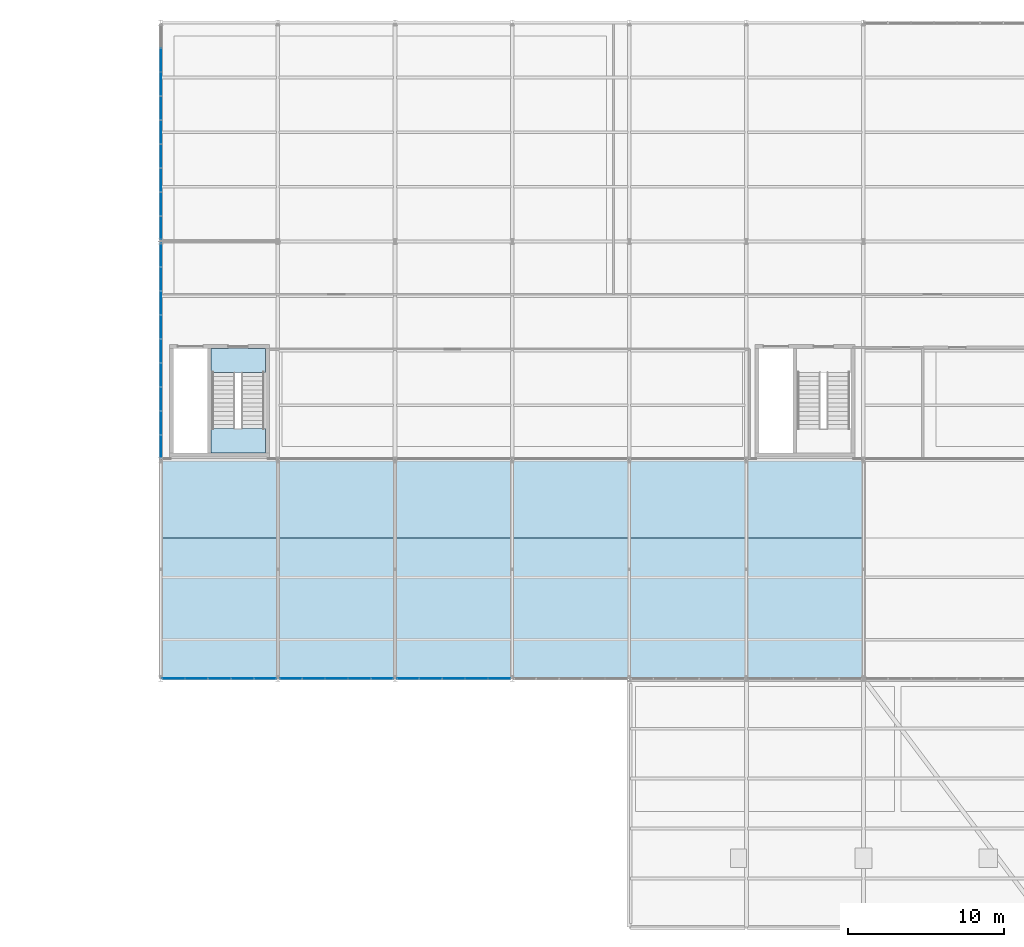
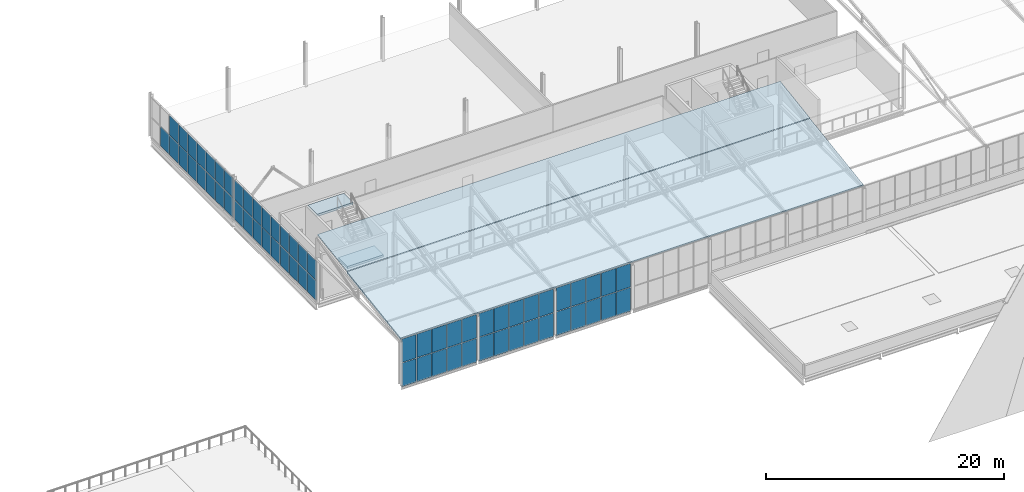
# One storey, part 87 of 104: 64 plates, 3 slabs, 6 elements without a shape of their own.
"""IFC4 building model written with IfcOpenShell, lengths in metres."""

from ifc_helpers import new_model, si_unit, direction, frame, origin, origin_2d, place, context, subcontext, project, spatial, polyline, rectangle, outline, extrude, material, layer, layer_set, type_object, element, aggregate, save


model = new_model("IFC4")

# Units and contexts
model_context = context("Model", 3, precision=1e-05, world=origin(), true_north=direction((0.0, 1.0)))
body_context = subcontext(model_context, "Body", "Model", "MODEL_VIEW")
ifc_project = project(units=[si_unit("LENGTHUNIT", "METRE"), si_unit("AREAUNIT", "SQUARE_METRE"), si_unit("VOLUMEUNIT", "CUBIC_METRE"), si_unit("PLANEANGLEUNIT", "RADIAN"), si_unit("MASSUNIT", "GRAM", prefix="KILO")], contexts=[model_context])

# Site, building, storey
site_placement = place(None, origin())
site = spatial("IfcSite", under=ifc_project, at=site_placement, CompositionType="ELEMENT")
building_placement = place(site_placement, origin())
building = spatial("IfcBuilding", under=site, at=building_placement, Name="Solvenia Promenade Tram Depot", CompositionType="ELEMENT")
storey_placement = place(building_placement, frame((0.0, 0.0, 9.0)))
storey = spatial("IfcBuildingStorey", under=building, at=storey_placement, Name="L02", CompositionType="ELEMENT", Elevation=9.0)

# Curtain wall, plates
ifc_material_1 = material(Name="Anodized aluminium AW-6063 T6", Category="aluminium")
ifc_layer_1 = layer(ifc_material_1, 0.080078125, Name="Anodized aluminium AW-6063 T6", Category="aluminium")
ifc_layer_set_1 = layer_set([ifc_layer_1], Name="Anodized aluminium AW-6063 T6")
curtain_wall_type_1 = type_object("IfcCurtainWallType", Name="CW-Clerest-1500", PredefinedType="NOTDEFINED", material=ifc_layer_set_1)
curtain_wall_1_placement = place(storey_placement, origin())
curtain_wall_1 = element("IfcCurtainWall", 1, at=curtain_wall_1_placement, inside=storey, type_object=curtain_wall_type_1, Name="Curtain Wall CW-V2S-L2-01", PredefinedType="NOTDEFINED")
ifc_material_2 = material(Name="Double low-e argon insulated glass", Category="glass")
ifc_layer_2 = layer(ifc_material_2, 0.031982421875, Name="Double low-e argon insulated glass", Category="glass")
ifc_layer_set_2 = layer_set([ifc_layer_2], Name="Double low-e argon insulated glass")
plate_type_1 = type_object("IfcPlateType", Name="CWP-Panel-2", PredefinedType="CURTAIN_PANEL", material=ifc_layer_set_2)
plate_1_placement = place(storey_placement, frame((105.82763671875, 24.0, -0.244873046875), z_axis=(0.0, 0.0, 1.0), x_axis=(1.0, 0.0, 0.0)))
plate_1 = element("IfcPlate", 2, at=plate_1_placement, type_object=plate_type_1, Name="CW-4 panel 1.1", PredefinedType="CURTAIN_PANEL", context=body_context, shape_type="SweptSolid", body=[
    extrude(rectangle(XDim=1.385498046875, YDim=0.031982421875, at=origin_2d()), origin(), (0.0, 0.0, 1.0), 2.41748046875),
])
plate_2_placement = place(storey_placement, frame((105.82763671875, 24.0, 2.2275390625), z_axis=(0.0, 0.0, 1.0), x_axis=(1.0, 0.0, 0.0)))
plate_2 = element("IfcPlate", 3, at=plate_2_placement, type_object=plate_type_1, Name="CW-4 panel 1.2", PredefinedType="CURTAIN_PANEL", context=body_context, shape_type="SweptSolid", body=[
    extrude(rectangle(XDim=1.385498046875, YDim=0.031982421875, at=origin_2d()), origin(), (0.0, 0.0, 1.0), 2.41748046875),
])
plate_3_placement = place(storey_placement, frame((107.281982421875, 24.0, -0.244873046875), z_axis=(0.0, 0.0, 1.0), x_axis=(1.0, 0.0, 0.0)))
plate_3 = element("IfcPlate", 4, at=plate_3_placement, type_object=plate_type_1, Name="CW-4 panel 2.1", PredefinedType="CURTAIN_PANEL", context=body_context, shape_type="SweptSolid", body=[
    extrude(rectangle(XDim=1.4130859375, YDim=0.031982421875, at=origin_2d()), origin(), (0.0, 0.0, 1.0), 2.41748046875),
])
plate_4_placement = place(storey_placement, frame((107.281982421875, 24.0, 2.2275390625), z_axis=(0.0, 0.0, 1.0), x_axis=(1.0, 0.0, 0.0)))
plate_4 = element("IfcPlate", 5, at=plate_4_placement, type_object=plate_type_1, Name="CW-4 panel 2.2", PredefinedType="CURTAIN_PANEL", context=body_context, shape_type="SweptSolid", body=[
    extrude(rectangle(XDim=1.4130859375, YDim=0.031982421875, at=origin_2d()), origin(), (0.0, 0.0, 1.0), 2.41748046875),
])
plate_5_placement = place(storey_placement, frame((108.75, 24.0, -0.244873046875), z_axis=(0.0, 0.0, 1.0), x_axis=(1.0, 0.0, 0.0)))
plate_5 = element("IfcPlate", 6, at=plate_5_placement, type_object=plate_type_1, Name="CW-4 panel 3.1", PredefinedType="CURTAIN_PANEL", context=body_context, shape_type="SweptSolid", body=[
    extrude(rectangle(XDim=1.4130859375, YDim=0.031982421875, at=origin_2d()), origin(), (0.0, 0.0, 1.0), 2.41748046875),
])
plate_6_placement = place(storey_placement, frame((108.75, 24.0, 2.2275390625), z_axis=(0.0, 0.0, 1.0), x_axis=(1.0, 0.0, 0.0)))
plate_6 = element("IfcPlate", 7, at=plate_6_placement, type_object=plate_type_1, Name="CW-4 panel 3.2", PredefinedType="CURTAIN_PANEL", context=body_context, shape_type="SweptSolid", body=[
    extrude(rectangle(XDim=1.4130859375, YDim=0.031982421875, at=origin_2d()), origin(), (0.0, 0.0, 1.0), 2.41748046875),
])
plate_7_placement = place(storey_placement, frame((110.218017578125, 24.0, -0.244873046875), z_axis=(0.0, 0.0, 1.0), x_axis=(1.0, 0.0, 0.0)))
plate_7 = element("IfcPlate", 8, at=plate_7_placement, type_object=plate_type_1, Name="CW-4 panel 4.1", PredefinedType="CURTAIN_PANEL", context=body_context, shape_type="SweptSolid", body=[
    extrude(rectangle(XDim=1.4130859375, YDim=0.031982421875, at=origin_2d()), origin(), (0.0, 0.0, 1.0), 2.41748046875),
])
plate_8_placement = place(storey_placement, frame((110.218017578125, 24.0, 2.2275390625), z_axis=(0.0, 0.0, 1.0), x_axis=(1.0, 0.0, 0.0)))
plate_8 = element("IfcPlate", 9, at=plate_8_placement, type_object=plate_type_1, Name="CW-4 panel 4.2", PredefinedType="CURTAIN_PANEL", context=body_context, shape_type="SweptSolid", body=[
    extrude(rectangle(XDim=1.4130859375, YDim=0.031982421875, at=origin_2d()), origin(), (0.0, 0.0, 1.0), 2.41748046875),
])
plate_9_placement = place(storey_placement, frame((111.67236328125, 24.0, -0.244873046875), z_axis=(0.0, 0.0, 1.0), x_axis=(1.0, 0.0, 0.0)))
plate_9 = element("IfcPlate", 10, at=plate_9_placement, type_object=plate_type_1, Name="CW-4 panel 5.1", PredefinedType="CURTAIN_PANEL", context=body_context, shape_type="SweptSolid", body=[
    extrude(rectangle(XDim=1.385498046875, YDim=0.031982421875, at=origin_2d()), origin(), (0.0, 0.0, 1.0), 2.41748046875),
])
plate_10_placement = place(storey_placement, frame((111.67236328125, 24.0, 2.2275390625), z_axis=(0.0, 0.0, 1.0), x_axis=(1.0, 0.0, 0.0)))
plate_10 = element("IfcPlate", 11, at=plate_10_placement, type_object=plate_type_1, Name="CW-4 panel 5.2", PredefinedType="CURTAIN_PANEL", context=body_context, shape_type="SweptSolid", body=[
    extrude(rectangle(XDim=1.385498046875, YDim=0.031982421875, at=origin_2d()), origin(), (0.0, 0.0, 1.0), 2.41748046875),
])
aggregate(curtain_wall_1, [plate_1, plate_2, plate_3, plate_4, plate_5, plate_6, plate_7, plate_8, plate_9, plate_10])

curtain_wall_2_placement = place(storey_placement, origin())
curtain_wall_2 = element("IfcCurtainWall", 12, at=curtain_wall_2_placement, inside=storey, type_object=curtain_wall_type_1, Name="Curtain Wall CW-V2S-L2-02", PredefinedType="NOTDEFINED")
plate_11_placement = place(storey_placement, frame((113.32763671875, 24.0, -0.244873046875), z_axis=(0.0, 0.0, 1.0), x_axis=(1.0, 0.0, 0.0)))
plate_11 = element("IfcPlate", 13, at=plate_11_placement, type_object=plate_type_1, Name="CW-4 panel 1.1", PredefinedType="CURTAIN_PANEL", context=body_context, shape_type="SweptSolid", body=[
    extrude(rectangle(XDim=1.385498046875, YDim=0.031982421875, at=origin_2d()), origin(), (0.0, 0.0, 1.0), 2.41748046875),
])
plate_12_placement = place(storey_placement, frame((113.32763671875, 24.0, 2.2275390625), z_axis=(0.0, 0.0, 1.0), x_axis=(1.0, 0.0, 0.0)))
plate_12 = element("IfcPlate", 14, at=plate_12_placement, type_object=plate_type_1, Name="CW-4 panel 1.2", PredefinedType="CURTAIN_PANEL", context=body_context, shape_type="SweptSolid", body=[
    extrude(rectangle(XDim=1.385498046875, YDim=0.031982421875, at=origin_2d()), origin(), (0.0, 0.0, 1.0), 2.41748046875),
])
plate_13_placement = place(storey_placement, frame((114.781982421875, 24.0, -0.244873046875), z_axis=(0.0, 0.0, 1.0), x_axis=(1.0, 0.0, 0.0)))
plate_13 = element("IfcPlate", 15, at=plate_13_placement, type_object=plate_type_1, Name="CW-4 panel 2.1", PredefinedType="CURTAIN_PANEL", context=body_context, shape_type="SweptSolid", body=[
    extrude(rectangle(XDim=1.4130859375, YDim=0.031982421875, at=origin_2d()), origin(), (0.0, 0.0, 1.0), 2.41748046875),
])
plate_14_placement = place(storey_placement, frame((114.781982421875, 24.0, 2.2275390625), z_axis=(0.0, 0.0, 1.0), x_axis=(1.0, 0.0, 0.0)))
plate_14 = element("IfcPlate", 16, at=plate_14_placement, type_object=plate_type_1, Name="CW-4 panel 2.2", PredefinedType="CURTAIN_PANEL", context=body_context, shape_type="SweptSolid", body=[
    extrude(rectangle(XDim=1.4130859375, YDim=0.031982421875, at=origin_2d()), origin(), (0.0, 0.0, 1.0), 2.41748046875),
])
plate_15_placement = place(storey_placement, frame((116.25, 24.0, -0.244873046875), z_axis=(0.0, 0.0, 1.0), x_axis=(1.0, 0.0, 0.0)))
plate_15 = element("IfcPlate", 17, at=plate_15_placement, type_object=plate_type_1, Name="CW-4 panel 3.1", PredefinedType="CURTAIN_PANEL", context=body_context, shape_type="SweptSolid", body=[
    extrude(rectangle(XDim=1.4130859375, YDim=0.031982421875, at=origin_2d()), origin(), (0.0, 0.0, 1.0), 2.41748046875),
])
plate_16_placement = place(storey_placement, frame((116.25, 24.0, 2.2275390625), z_axis=(0.0, 0.0, 1.0), x_axis=(1.0, 0.0, 0.0)))
plate_16 = element("IfcPlate", 18, at=plate_16_placement, type_object=plate_type_1, Name="CW-4 panel 3.2", PredefinedType="CURTAIN_PANEL", context=body_context, shape_type="SweptSolid", body=[
    extrude(rectangle(XDim=1.4130859375, YDim=0.031982421875, at=origin_2d()), origin(), (0.0, 0.0, 1.0), 2.41748046875),
])
plate_17_placement = place(storey_placement, frame((117.718017578125, 24.0, -0.244873046875), z_axis=(0.0, 0.0, 1.0), x_axis=(1.0, 0.0, 0.0)))
plate_17 = element("IfcPlate", 19, at=plate_17_placement, type_object=plate_type_1, Name="CW-4 panel 4.1", PredefinedType="CURTAIN_PANEL", context=body_context, shape_type="SweptSolid", body=[
    extrude(rectangle(XDim=1.4130859375, YDim=0.031982421875, at=origin_2d()), origin(), (0.0, 0.0, 1.0), 2.41748046875),
])
plate_18_placement = place(storey_placement, frame((117.718017578125, 24.0, 2.2275390625), z_axis=(0.0, 0.0, 1.0), x_axis=(1.0, 0.0, 0.0)))
plate_18 = element("IfcPlate", 20, at=plate_18_placement, type_object=plate_type_1, Name="CW-4 panel 4.2", PredefinedType="CURTAIN_PANEL", context=body_context, shape_type="SweptSolid", body=[
    extrude(rectangle(XDim=1.4130859375, YDim=0.031982421875, at=origin_2d()), origin(), (0.0, 0.0, 1.0), 2.41748046875),
])
plate_19_placement = place(storey_placement, frame((119.17236328125, 24.0, -0.244873046875), z_axis=(0.0, 0.0, 1.0), x_axis=(1.0, 0.0, 0.0)))
plate_19 = element("IfcPlate", 21, at=plate_19_placement, type_object=plate_type_1, Name="CW-4 panel 5.1", PredefinedType="CURTAIN_PANEL", context=body_context, shape_type="SweptSolid", body=[
    extrude(rectangle(XDim=1.385498046875, YDim=0.031982421875, at=origin_2d()), origin(), (0.0, 0.0, 1.0), 2.41748046875),
])
plate_20_placement = place(storey_placement, frame((119.17236328125, 24.0, 2.2275390625), z_axis=(0.0, 0.0, 1.0), x_axis=(1.0, 0.0, 0.0)))
plate_20 = element("IfcPlate", 22, at=plate_20_placement, type_object=plate_type_1, Name="CW-4 panel 5.2", PredefinedType="CURTAIN_PANEL", context=body_context, shape_type="SweptSolid", body=[
    extrude(rectangle(XDim=1.385498046875, YDim=0.031982421875, at=origin_2d()), origin(), (0.0, 0.0, 1.0), 2.41748046875),
])
aggregate(curtain_wall_2, [plate_11, plate_12, plate_13, plate_14, plate_15, plate_16, plate_17, plate_18, plate_19, plate_20])

curtain_wall_3_placement = place(storey_placement, origin())
curtain_wall_3 = element("IfcCurtainWall", 23, at=curtain_wall_3_placement, inside=storey, type_object=curtain_wall_type_1, Name="Curtain Wall CW-V2S-L2-03", PredefinedType="NOTDEFINED")
plate_21_placement = place(storey_placement, frame((120.82763671875, 24.0, -0.244873046875), z_axis=(0.0, 0.0, 1.0), x_axis=(1.0, 0.0, 0.0)))
plate_21 = element("IfcPlate", 24, at=plate_21_placement, type_object=plate_type_1, Name="CW-4 panel 1.1", PredefinedType="CURTAIN_PANEL", context=body_context, shape_type="SweptSolid", body=[
    extrude(rectangle(XDim=1.385498046875, YDim=0.031982421875, at=origin_2d()), origin(), (0.0, 0.0, 1.0), 2.41748046875),
])
plate_22_placement = place(storey_placement, frame((120.82763671875, 24.0, 2.2275390625), z_axis=(0.0, 0.0, 1.0), x_axis=(1.0, 0.0, 0.0)))
plate_22 = element("IfcPlate", 25, at=plate_22_placement, type_object=plate_type_1, Name="CW-4 panel 1.2", PredefinedType="CURTAIN_PANEL", context=body_context, shape_type="SweptSolid", body=[
    extrude(rectangle(XDim=1.385498046875, YDim=0.031982421875, at=origin_2d()), origin(), (0.0, 0.0, 1.0), 2.41748046875),
])
plate_23_placement = place(storey_placement, frame((122.281982421875, 24.0, -0.244873046875), z_axis=(0.0, 0.0, 1.0), x_axis=(1.0, 0.0, 0.0)))
plate_23 = element("IfcPlate", 26, at=plate_23_placement, type_object=plate_type_1, Name="CW-4 panel 2.1", PredefinedType="CURTAIN_PANEL", context=body_context, shape_type="SweptSolid", body=[
    extrude(rectangle(XDim=1.4130859375, YDim=0.031982421875, at=origin_2d()), origin(), (0.0, 0.0, 1.0), 2.41748046875),
])
plate_24_placement = place(storey_placement, frame((122.281982421875, 24.0, 2.2275390625), z_axis=(0.0, 0.0, 1.0), x_axis=(1.0, 0.0, 0.0)))
plate_24 = element("IfcPlate", 27, at=plate_24_placement, type_object=plate_type_1, Name="CW-4 panel 2.2", PredefinedType="CURTAIN_PANEL", context=body_context, shape_type="SweptSolid", body=[
    extrude(rectangle(XDim=1.4130859375, YDim=0.031982421875, at=origin_2d()), origin(), (0.0, 0.0, 1.0), 2.41748046875),
])
plate_25_placement = place(storey_placement, frame((123.75, 24.0, -0.244873046875), z_axis=(0.0, 0.0, 1.0), x_axis=(1.0, 0.0, 0.0)))
plate_25 = element("IfcPlate", 28, at=plate_25_placement, type_object=plate_type_1, Name="CW-4 panel 3.1", PredefinedType="CURTAIN_PANEL", context=body_context, shape_type="SweptSolid", body=[
    extrude(rectangle(XDim=1.4130859375, YDim=0.031982421875, at=origin_2d()), origin(), (0.0, 0.0, 1.0), 2.41748046875),
])
plate_26_placement = place(storey_placement, frame((123.75, 24.0, 2.2275390625), z_axis=(0.0, 0.0, 1.0), x_axis=(1.0, 0.0, 0.0)))
plate_26 = element("IfcPlate", 29, at=plate_26_placement, type_object=plate_type_1, Name="CW-4 panel 3.2", PredefinedType="CURTAIN_PANEL", context=body_context, shape_type="SweptSolid", body=[
    extrude(rectangle(XDim=1.4130859375, YDim=0.031982421875, at=origin_2d()), origin(), (0.0, 0.0, 1.0), 2.41748046875),
])
plate_27_placement = place(storey_placement, frame((125.218017578125, 24.0, -0.244873046875), z_axis=(0.0, 0.0, 1.0), x_axis=(1.0, 0.0, 0.0)))
plate_27 = element("IfcPlate", 30, at=plate_27_placement, type_object=plate_type_1, Name="CW-4 panel 4.1", PredefinedType="CURTAIN_PANEL", context=body_context, shape_type="SweptSolid", body=[
    extrude(rectangle(XDim=1.4130859375, YDim=0.031982421875, at=origin_2d()), origin(), (0.0, 0.0, 1.0), 2.41748046875),
])
plate_28_placement = place(storey_placement, frame((125.218017578125, 24.0, 2.2275390625), z_axis=(0.0, 0.0, 1.0), x_axis=(1.0, 0.0, 0.0)))
plate_28 = element("IfcPlate", 31, at=plate_28_placement, type_object=plate_type_1, Name="CW-4 panel 4.2", PredefinedType="CURTAIN_PANEL", context=body_context, shape_type="SweptSolid", body=[
    extrude(rectangle(XDim=1.4130859375, YDim=0.031982421875, at=origin_2d()), origin(), (0.0, 0.0, 1.0), 2.41748046875),
])
plate_29_placement = place(storey_placement, frame((126.67236328125, 24.0, -0.244873046875), z_axis=(0.0, 0.0, 1.0), x_axis=(1.0, 0.0, 0.0)))
plate_29 = element("IfcPlate", 32, at=plate_29_placement, type_object=plate_type_1, Name="CW-4 panel 5.1", PredefinedType="CURTAIN_PANEL", context=body_context, shape_type="SweptSolid", body=[
    extrude(rectangle(XDim=1.385498046875, YDim=0.031982421875, at=origin_2d()), origin(), (0.0, 0.0, 1.0), 2.41748046875),
])
plate_30_placement = place(storey_placement, frame((126.67236328125, 24.0, 2.2275390625), z_axis=(0.0, 0.0, 1.0), x_axis=(1.0, 0.0, 0.0)))
plate_30 = element("IfcPlate", 33, at=plate_30_placement, type_object=plate_type_1, Name="CW-4 panel 5.2", PredefinedType="CURTAIN_PANEL", context=body_context, shape_type="SweptSolid", body=[
    extrude(rectangle(XDim=1.385498046875, YDim=0.031982421875, at=origin_2d()), origin(), (0.0, 0.0, 1.0), 2.41748046875),
])
aggregate(curtain_wall_3, [plate_21, plate_22, plate_23, plate_24, plate_25, plate_26, plate_27, plate_28, plate_29, plate_30])

ifc_layer_3 = layer(ifc_material_1, 0.14990234375, Name="Anodized aluminium AW-6063 T6", Category="aluminium")
ifc_layer_set_3 = layer_set([ifc_layer_3], Name="Anodized aluminium AW-6063 T6")
curtain_wall_type_2 = type_object("IfcCurtainWallType", Name="CW-Court-1500", PredefinedType="NOTDEFINED", material=ifc_layer_set_3)
curtain_wall_4_placement = place(storey_placement, origin())
curtain_wall_4 = element("IfcCurtainWall", 34, at=curtain_wall_4_placement, inside=storey, type_object=curtain_wall_type_2, Name="Curtain Wall CW-V2W-L2-1", PredefinedType="NOTDEFINED")
plate_31_placement = place(storey_placement, frame((105.0, 38.861328125, 0.06494140625), z_axis=(0.0, 0.0, 1.0), x_axis=(0.0, 1.0, 0.0)))
plate_31 = element("IfcPlate", 35, at=plate_31_placement, type_object=plate_type_1, Name="CW-5 panel 1.1", PredefinedType="CURTAIN_PANEL", context=body_context, shape_type="SweptSolid", body=[
    extrude(rectangle(XDim=1.462890625, YDim=0.031982421875, at=origin_2d()), origin(), (0.0, 0.0, 1.0), 2.00244140625),
])
plate_32_placement = place(storey_placement, frame((105.0, 38.861328125, 2.132568359375), z_axis=(0.0, 0.0, 1.0), x_axis=(0.0, 1.0, 0.0)))
plate_32 = element("IfcPlate", 36, at=plate_32_placement, type_object=plate_type_1, Name="CW-5 panel 1.2", PredefinedType="CURTAIN_PANEL", context=body_context, shape_type="SweptSolid", body=[
    extrude(rectangle(XDim=1.462890625, YDim=0.031982421875, at=origin_2d()), origin(), (0.0, 0.0, 1.0), 2.00244140625),
])
plate_33_placement = place(storey_placement, frame((105.0, 40.38671875, 0.06494140625), z_axis=(0.0, 0.0, 1.0), x_axis=(0.0, 1.0, 0.0)))
plate_33 = element("IfcPlate", 37, at=plate_33_placement, type_object=plate_type_1, Name="CW-5 panel 2.1", PredefinedType="CURTAIN_PANEL", context=body_context, shape_type="SweptSolid", body=[
    extrude(rectangle(XDim=1.48779296875, YDim=0.031982421875, at=origin_2d()), origin(), (0.0, 0.0, 1.0), 2.00244140625),
])
plate_34_placement = place(storey_placement, frame((105.0, 40.38671875, 2.132568359375), z_axis=(0.0, 0.0, 1.0), x_axis=(0.0, 1.0, 0.0)))
plate_34 = element("IfcPlate", 38, at=plate_34_placement, type_object=plate_type_1, Name="CW-5 panel 2.2", PredefinedType="CURTAIN_PANEL", context=body_context, shape_type="SweptSolid", body=[
    extrude(rectangle(XDim=1.48779296875, YDim=0.031982421875, at=origin_2d()), origin(), (0.0, 0.0, 1.0), 2.00244140625),
])
plate_35_placement = place(storey_placement, frame((105.0, 41.924560546875, 0.06494140625), z_axis=(0.0, 0.0, 1.0), x_axis=(0.0, 1.0, 0.0)))
plate_35 = element("IfcPlate", 39, at=plate_35_placement, type_object=plate_type_1, Name="CW-5 panel 3.1", PredefinedType="CURTAIN_PANEL", context=body_context, shape_type="SweptSolid", body=[
    extrude(rectangle(XDim=1.48779296875, YDim=0.031982421875, at=origin_2d()), origin(), (0.0, 0.0, 1.0), 2.00244140625),
])
plate_36_placement = place(storey_placement, frame((105.0, 41.924560546875, 2.132568359375), z_axis=(0.0, 0.0, 1.0), x_axis=(0.0, 1.0, 0.0)))
plate_36 = element("IfcPlate", 40, at=plate_36_placement, type_object=plate_type_1, Name="CW-5 panel 3.2", PredefinedType="CURTAIN_PANEL", context=body_context, shape_type="SweptSolid", body=[
    extrude(rectangle(XDim=1.48779296875, YDim=0.031982421875, at=origin_2d()), origin(), (0.0, 0.0, 1.0), 2.00244140625),
])
plate_37_placement = place(storey_placement, frame((105.0, 43.462158203125, 0.06494140625), z_axis=(0.0, 0.0, 1.0), x_axis=(0.0, 1.0, 0.0)))
plate_37 = element("IfcPlate", 41, at=plate_37_placement, type_object=plate_type_1, Name="CW-5 panel 4.1", PredefinedType="CURTAIN_PANEL", context=body_context, shape_type="SweptSolid", body=[
    extrude(rectangle(XDim=1.48779296875, YDim=0.031982421875, at=origin_2d()), origin(), (0.0, 0.0, 1.0), 2.00244140625),
])
plate_38_placement = place(storey_placement, frame((105.0, 43.462158203125, 2.132568359375), z_axis=(0.0, 0.0, 1.0), x_axis=(0.0, 1.0, 0.0)))
plate_38 = element("IfcPlate", 42, at=plate_38_placement, type_object=plate_type_1, Name="CW-5 panel 4.2", PredefinedType="CURTAIN_PANEL", context=body_context, shape_type="SweptSolid", body=[
    extrude(rectangle(XDim=1.48779296875, YDim=0.031982421875, at=origin_2d()), origin(), (0.0, 0.0, 1.0), 2.00244140625),
])
plate_39_placement = place(storey_placement, frame((105.0, 45.0, 0.06494140625), z_axis=(0.0, 0.0, 1.0), x_axis=(0.0, 1.0, 0.0)))
plate_39 = element("IfcPlate", 43, at=plate_39_placement, type_object=plate_type_1, Name="CW-5 panel 5.1", PredefinedType="CURTAIN_PANEL", context=body_context, shape_type="SweptSolid", body=[
    extrude(rectangle(XDim=1.48779296875, YDim=0.031982421875, at=origin_2d()), origin(), (0.0, 0.0, 1.0), 2.00244140625),
])
plate_40_placement = place(storey_placement, frame((105.0, 45.0, 2.132568359375), z_axis=(0.0, 0.0, 1.0), x_axis=(0.0, 1.0, 0.0)))
plate_40 = element("IfcPlate", 44, at=plate_40_placement, type_object=plate_type_1, Name="CW-5 panel 5.2", PredefinedType="CURTAIN_PANEL", context=body_context, shape_type="SweptSolid", body=[
    extrude(rectangle(XDim=1.48779296875, YDim=0.031982421875, at=origin_2d()), origin(), (0.0, 0.0, 1.0), 2.00244140625),
])
plate_41_placement = place(storey_placement, frame((105.0, 46.537841796875, 0.06494140625), z_axis=(0.0, 0.0, 1.0), x_axis=(0.0, 1.0, 0.0)))
plate_41 = element("IfcPlate", 45, at=plate_41_placement, type_object=plate_type_1, Name="CW-5 panel 6.1", PredefinedType="CURTAIN_PANEL", context=body_context, shape_type="SweptSolid", body=[
    extrude(rectangle(XDim=1.48779296875, YDim=0.031982421875, at=origin_2d()), origin(), (0.0, 0.0, 1.0), 2.00244140625),
])
plate_42_placement = place(storey_placement, frame((105.0, 46.537841796875, 2.132568359375), z_axis=(0.0, 0.0, 1.0), x_axis=(0.0, 1.0, 0.0)))
plate_42 = element("IfcPlate", 46, at=plate_42_placement, type_object=plate_type_1, Name="CW-5 panel 6.2", PredefinedType="CURTAIN_PANEL", context=body_context, shape_type="SweptSolid", body=[
    extrude(rectangle(XDim=1.48779296875, YDim=0.031982421875, at=origin_2d()), origin(), (0.0, 0.0, 1.0), 2.00244140625),
])
plate_43_placement = place(storey_placement, frame((105.0, 48.075439453125, 0.06494140625), z_axis=(0.0, 0.0, 1.0), x_axis=(0.0, 1.0, 0.0)))
plate_43 = element("IfcPlate", 47, at=plate_43_placement, type_object=plate_type_1, Name="CW-5 panel 7.1", PredefinedType="CURTAIN_PANEL", context=body_context, shape_type="SweptSolid", body=[
    extrude(rectangle(XDim=1.48779296875, YDim=0.031982421875, at=origin_2d()), origin(), (0.0, 0.0, 1.0), 2.00244140625),
])
plate_44_placement = place(storey_placement, frame((105.0, 48.075439453125, 2.132568359375), z_axis=(0.0, 0.0, 1.0), x_axis=(0.0, 1.0, 0.0)))
plate_44 = element("IfcPlate", 48, at=plate_44_placement, type_object=plate_type_1, Name="CW-5 panel 7.2", PredefinedType="CURTAIN_PANEL", context=body_context, shape_type="SweptSolid", body=[
    extrude(rectangle(XDim=1.48779296875, YDim=0.031982421875, at=origin_2d()), origin(), (0.0, 0.0, 1.0), 2.00244140625),
])
plate_45_placement = place(storey_placement, frame((105.0, 49.61328125, 0.06494140625), z_axis=(0.0, 0.0, 1.0), x_axis=(0.0, 1.0, 0.0)))
plate_45 = element("IfcPlate", 49, at=plate_45_placement, type_object=plate_type_1, Name="CW-5 panel 8.1", PredefinedType="CURTAIN_PANEL", context=body_context, shape_type="SweptSolid", body=[
    extrude(rectangle(XDim=1.48779296875, YDim=0.031982421875, at=origin_2d()), origin(), (0.0, 0.0, 1.0), 2.00244140625),
])
plate_46_placement = place(storey_placement, frame((105.0, 49.61328125, 2.132568359375), z_axis=(0.0, 0.0, 1.0), x_axis=(0.0, 1.0, 0.0)))
plate_46 = element("IfcPlate", 50, at=plate_46_placement, type_object=plate_type_1, Name="CW-5 panel 8.2", PredefinedType="CURTAIN_PANEL", context=body_context, shape_type="SweptSolid", body=[
    extrude(rectangle(XDim=1.48779296875, YDim=0.031982421875, at=origin_2d()), origin(), (0.0, 0.0, 1.0), 2.00244140625),
])
plate_47_placement = place(storey_placement, frame((105.0, 51.138671875, 0.06494140625), z_axis=(0.0, 0.0, 1.0), x_axis=(0.0, 1.0, 0.0)))
plate_47 = element("IfcPlate", 51, at=plate_47_placement, type_object=plate_type_1, Name="CW-5 panel 9.1", PredefinedType="CURTAIN_PANEL", context=body_context, shape_type="SweptSolid", body=[
    extrude(rectangle(XDim=1.462890625, YDim=0.031982421875, at=origin_2d()), origin(), (0.0, 0.0, 1.0), 2.00244140625),
])
plate_48_placement = place(storey_placement, frame((105.0, 51.138671875, 2.132568359375), z_axis=(0.0, 0.0, 1.0), x_axis=(0.0, 1.0, 0.0)))
plate_48 = element("IfcPlate", 52, at=plate_48_placement, type_object=plate_type_1, Name="CW-5 panel 9.2", PredefinedType="CURTAIN_PANEL", context=body_context, shape_type="SweptSolid", body=[
    extrude(rectangle(XDim=1.462890625, YDim=0.031982421875, at=origin_2d()), origin(), (0.0, 0.0, 1.0), 2.00244140625),
])
aggregate(curtain_wall_4, [plate_31, plate_32, plate_33, plate_34, plate_35, plate_36, plate_37, plate_38, plate_39, plate_40, plate_41, plate_42, plate_43, plate_44, plate_45, plate_46, plate_47, plate_48])

curtain_wall_5_placement = place(storey_placement, origin())
curtain_wall_5 = element("IfcCurtainWall", 53, at=curtain_wall_5_placement, inside=storey, type_object=curtain_wall_type_2, Name="Curtain Wall CW-V2W-L2-2", PredefinedType="NOTDEFINED")
plate_49_placement = place(storey_placement, frame((105.0, 52.861328125, 0.06494140625), z_axis=(0.0, 0.0, 1.0), x_axis=(0.0, 1.0, 0.0)))
plate_49 = element("IfcPlate", 54, at=plate_49_placement, type_object=plate_type_1, Name="CW-5 panel 1.1", PredefinedType="CURTAIN_PANEL", context=body_context, shape_type="SweptSolid", body=[
    extrude(rectangle(XDim=1.462890625, YDim=0.031982421875, at=origin_2d()), origin(), (0.0, 0.0, 1.0), 2.00244140625),
])
plate_50_placement = place(storey_placement, frame((105.0, 52.861328125, 2.132568359375), z_axis=(0.0, 0.0, 1.0), x_axis=(0.0, 1.0, 0.0)))
plate_50 = element("IfcPlate", 55, at=plate_50_placement, type_object=plate_type_1, Name="CW-5 panel 1.2", PredefinedType="CURTAIN_PANEL", context=body_context, shape_type="SweptSolid", body=[
    extrude(rectangle(XDim=1.462890625, YDim=0.031982421875, at=origin_2d()), origin(), (0.0, 0.0, 1.0), 2.00244140625),
])
plate_51_placement = place(storey_placement, frame((105.0, 54.38671875, 0.06494140625), z_axis=(0.0, 0.0, 1.0), x_axis=(0.0, 1.0, 0.0)))
plate_51 = element("IfcPlate", 56, at=plate_51_placement, type_object=plate_type_1, Name="CW-5 panel 2.1", PredefinedType="CURTAIN_PANEL", context=body_context, shape_type="SweptSolid", body=[
    extrude(rectangle(XDim=1.48779296875, YDim=0.031982421875, at=origin_2d()), origin(), (0.0, 0.0, 1.0), 2.00244140625),
])
plate_52_placement = place(storey_placement, frame((105.0, 54.38671875, 2.132568359375), z_axis=(0.0, 0.0, 1.0), x_axis=(0.0, 1.0, 0.0)))
plate_52 = element("IfcPlate", 57, at=plate_52_placement, type_object=plate_type_1, Name="CW-5 panel 2.2", PredefinedType="CURTAIN_PANEL", context=body_context, shape_type="SweptSolid", body=[
    extrude(rectangle(XDim=1.48779296875, YDim=0.031982421875, at=origin_2d()), origin(), (0.0, 0.0, 1.0), 2.00244140625),
])
plate_53_placement = place(storey_placement, frame((105.0, 55.924560546875, 0.06494140625), z_axis=(0.0, 0.0, 1.0), x_axis=(0.0, 1.0, 0.0)))
plate_53 = element("IfcPlate", 58, at=plate_53_placement, type_object=plate_type_1, Name="CW-5 panel 3.1", PredefinedType="CURTAIN_PANEL", context=body_context, shape_type="SweptSolid", body=[
    extrude(rectangle(XDim=1.48779296875, YDim=0.031982421875, at=origin_2d()), origin(), (0.0, 0.0, 1.0), 2.00244140625),
])
plate_54_placement = place(storey_placement, frame((105.0, 55.924560546875, 2.132568359375), z_axis=(0.0, 0.0, 1.0), x_axis=(0.0, 1.0, 0.0)))
plate_54 = element("IfcPlate", 59, at=plate_54_placement, type_object=plate_type_1, Name="CW-5 panel 3.2", PredefinedType="CURTAIN_PANEL", context=body_context, shape_type="SweptSolid", body=[
    extrude(rectangle(XDim=1.48779296875, YDim=0.031982421875, at=origin_2d()), origin(), (0.0, 0.0, 1.0), 2.00244140625),
])
plate_55_placement = place(storey_placement, frame((105.0, 57.462158203125, 0.06494140625), z_axis=(0.0, 0.0, 1.0), x_axis=(0.0, 1.0, 0.0)))
plate_55 = element("IfcPlate", 60, at=plate_55_placement, type_object=plate_type_1, Name="CW-5 panel 4.1", PredefinedType="CURTAIN_PANEL", context=body_context, shape_type="SweptSolid", body=[
    extrude(rectangle(XDim=1.48779296875, YDim=0.031982421875, at=origin_2d()), origin(), (0.0, 0.0, 1.0), 2.00244140625),
])
plate_56_placement = place(storey_placement, frame((105.0, 57.462158203125, 2.132568359375), z_axis=(0.0, 0.0, 1.0), x_axis=(0.0, 1.0, 0.0)))
plate_56 = element("IfcPlate", 61, at=plate_56_placement, type_object=plate_type_1, Name="CW-5 panel 4.2", PredefinedType="CURTAIN_PANEL", context=body_context, shape_type="SweptSolid", body=[
    extrude(rectangle(XDim=1.48779296875, YDim=0.031982421875, at=origin_2d()), origin(), (0.0, 0.0, 1.0), 2.00244140625),
])
plate_57_placement = place(storey_placement, frame((105.0, 59.0, 0.06494140625), z_axis=(0.0, 0.0, 1.0), x_axis=(0.0, 1.0, 0.0)))
plate_57 = element("IfcPlate", 62, at=plate_57_placement, type_object=plate_type_1, Name="CW-5 panel 5.1", PredefinedType="CURTAIN_PANEL", context=body_context, shape_type="SweptSolid", body=[
    extrude(rectangle(XDim=1.48779296875, YDim=0.031982421875, at=origin_2d()), origin(), (0.0, 0.0, 1.0), 2.00244140625),
])
plate_58_placement = place(storey_placement, frame((105.0, 59.0, 2.132568359375), z_axis=(0.0, 0.0, 1.0), x_axis=(0.0, 1.0, 0.0)))
plate_58 = element("IfcPlate", 63, at=plate_58_placement, type_object=plate_type_1, Name="CW-5 panel 5.2", PredefinedType="CURTAIN_PANEL", context=body_context, shape_type="SweptSolid", body=[
    extrude(rectangle(XDim=1.48779296875, YDim=0.031982421875, at=origin_2d()), origin(), (0.0, 0.0, 1.0), 2.00244140625),
])
plate_59_placement = place(storey_placement, frame((105.0, 60.537841796875, 0.06494140625), z_axis=(0.0, 0.0, 1.0), x_axis=(0.0, 1.0, 0.0)))
plate_59 = element("IfcPlate", 64, at=plate_59_placement, type_object=plate_type_1, Name="CW-5 panel 6.1", PredefinedType="CURTAIN_PANEL", context=body_context, shape_type="SweptSolid", body=[
    extrude(rectangle(XDim=1.48779296875, YDim=0.031982421875, at=origin_2d()), origin(), (0.0, 0.0, 1.0), 2.00244140625),
])
plate_60_placement = place(storey_placement, frame((105.0, 60.537841796875, 2.132568359375), z_axis=(0.0, 0.0, 1.0), x_axis=(0.0, 1.0, 0.0)))
plate_60 = element("IfcPlate", 65, at=plate_60_placement, type_object=plate_type_1, Name="CW-5 panel 6.2", PredefinedType="CURTAIN_PANEL", context=body_context, shape_type="SweptSolid", body=[
    extrude(rectangle(XDim=1.48779296875, YDim=0.031982421875, at=origin_2d()), origin(), (0.0, 0.0, 1.0), 2.00244140625),
])
plate_61_placement = place(storey_placement, frame((105.0, 62.075439453125, 0.06494140625), z_axis=(0.0, 0.0, 1.0), x_axis=(0.0, 1.0, 0.0)))
plate_61 = element("IfcPlate", 66, at=plate_61_placement, type_object=plate_type_1, Name="CW-5 panel 7.1", PredefinedType="CURTAIN_PANEL", context=body_context, shape_type="SweptSolid", body=[
    extrude(rectangle(XDim=1.48779296875, YDim=0.031982421875, at=origin_2d()), origin(), (0.0, 0.0, 1.0), 2.00244140625),
])
plate_62_placement = place(storey_placement, frame((105.0, 62.075439453125, 2.132568359375), z_axis=(0.0, 0.0, 1.0), x_axis=(0.0, 1.0, 0.0)))
plate_62 = element("IfcPlate", 67, at=plate_62_placement, type_object=plate_type_1, Name="CW-5 panel 7.2", PredefinedType="CURTAIN_PANEL", context=body_context, shape_type="SweptSolid", body=[
    extrude(rectangle(XDim=1.48779296875, YDim=0.031982421875, at=origin_2d()), origin(), (0.0, 0.0, 1.0), 2.00244140625),
])
plate_63_placement = place(storey_placement, frame((105.0, 63.61328125, 0.06494140625), z_axis=(0.0, 0.0, 1.0), x_axis=(0.0, 1.0, 0.0)))
plate_63 = element("IfcPlate", 68, at=plate_63_placement, type_object=plate_type_1, Name="CW-5 panel 8.1", PredefinedType="CURTAIN_PANEL", context=body_context, shape_type="SweptSolid", body=[
    extrude(rectangle(XDim=1.48779296875, YDim=0.031982421875, at=origin_2d()), origin(), (0.0, 0.0, 1.0), 2.00244140625),
])
aggregate(curtain_wall_5, [plate_49, plate_50, plate_51, plate_52, plate_53, plate_54, plate_55, plate_56, plate_57, plate_58, plate_59, plate_60, plate_61, plate_62, plate_63])

# Plate
ifc_material_3 = material(Name="Translucent multi-wall insulated polycarbonate cassette", Category="other")
ifc_layer_4 = layer(ifc_material_3, 0.0380859375, Name="Translucent multi-wall insulated polycarbonate cassette", Category="other")
ifc_layer_set_4 = layer_set([ifc_layer_4], Name="Translucent multi-wall insulated polycarbonate cassette")
plate_type_2 = type_object("IfcPlateType", Name="DaylightCassette-3", PredefinedType="SHEET", material=ifc_layer_set_4)
plate_64_placement = place(storey_placement, frame((105.0, 33.0, 6.199951171875), z_axis=(0.0, -0.14834045293, 0.988936352868), x_axis=(1.0, 0.0, 0.0)))
element("IfcPlate", 69, at=plate_64_placement, inside=storey, type_object=plate_type_2, Name="Crane Hall North-Light Skylight Strip 1", PredefinedType="SHEET", context=body_context, shape_type="SweptSolid", body=[
    extrude(outline(polyline([(0.0, 0.0), (45.0, 0.0), (45.0, 5.05593710403917), (0.0, 5.05593710403917), (0.0, 0.0)])), origin(), (0.0, 0.0, -1.0), 0.0380859375),
])

# Slab
ifc_material_4 = material(Name="Concrete C28/35", Category="concrete")
ifc_layer_5 = layer(ifc_material_4, 0.169921875, Name="Concrete C28/35", Category="concrete")
ifc_layer_set_5 = layer_set([ifc_layer_5], Name="Concrete C28/35")
slab_type_1 = type_object("IfcSlabType", Name="Slab-Cler-170", PredefinedType="ROOF", material=ifc_layer_set_5)
slab_1_placement = place(storey_placement, frame((105.0, 24.0, 4.794921875), z_axis=(0.0, -0.148350947425, 0.988934778637), x_axis=(1.0, 0.0, 0.0)))
element("IfcSlab", 70, at=slab_1_placement, inside=storey, type_object=slab_type_1, Name="Maintenance Crane Hall Sawtooth Roof 1", PredefinedType="ROOF", context=body_context, shape_type="SweptSolid", body=[
    extrude(outline(polyline([(0.0, 0.0), (45.0, 0.0), (45.0, 9.100701274155291), (0.0, 9.100701274155291), (0.0, 0.0)])), origin(), (0.0, 0.0, -1.0), 0.169921875),
])

# Stair, slabs
stair_type = type_object("IfcStairType", Name="Stair-Core-1460", PredefinedType="TWO_STRAIGHT_RUN_STAIR", material=ifc_material_4)
stair_placement = place(storey_placement, origin())
stair = element("IfcStair", 71, at=stair_placement, inside=storey, type_object=stair_type, Name="Enclosed Exit Stair ST-05-L02", PredefinedType="TWO_STRAIGHT_RUN_STAIR")
ifc_layer_6 = layer(ifc_material_4, 0.235107421875, Name="Concrete C28/35", Category="concrete")
ifc_layer_set_6 = layer_set([ifc_layer_6], Name="Concrete C28/35")
slab_type_2 = type_object("IfcSlabType", Name="Slab-Landing-235", PredefinedType="LANDING", material=ifc_layer_set_6)
slab_2_placement = place(storey_placement, frame((0.0, 0.0, 2.014892578125)))
slab_2 = element("IfcSlab", 72, at=slab_2_placement, type_object=slab_type_2, Name="ST-05-L02 landing 1", PredefinedType="LANDING", context=body_context, shape_type="SweptSolid", body=[
    extrude(outline(polyline([(108.199951171875, 38.449951171875), (111.699951171875, 38.449951171875), (111.699951171875, 40.010009765625), (108.199951171875, 40.010009765625), (108.199951171875, 38.449951171875)])), origin(), (0.0, 0.0, 1.0), 0.235107421875),
])
slab_3_placement = place(storey_placement, frame((0.0, 0.0, 4.264892578125)))
slab_3 = element("IfcSlab", 73, at=slab_3_placement, type_object=slab_type_2, Name="ST-05-L02 landing 2", PredefinedType="LANDING", context=body_context, shape_type="SweptSolid", body=[
    extrude(outline(polyline([(108.199951171875, 43.590087890625), (111.699951171875, 43.590087890625), (111.699951171875, 45.14990234375), (108.199951171875, 45.14990234375), (108.199951171875, 43.590087890625)])), origin(), (0.0, 0.0, 1.0), 0.235107421875),
])
aggregate(stair, [slab_2, slab_3])

save(model, "model.ifc")
